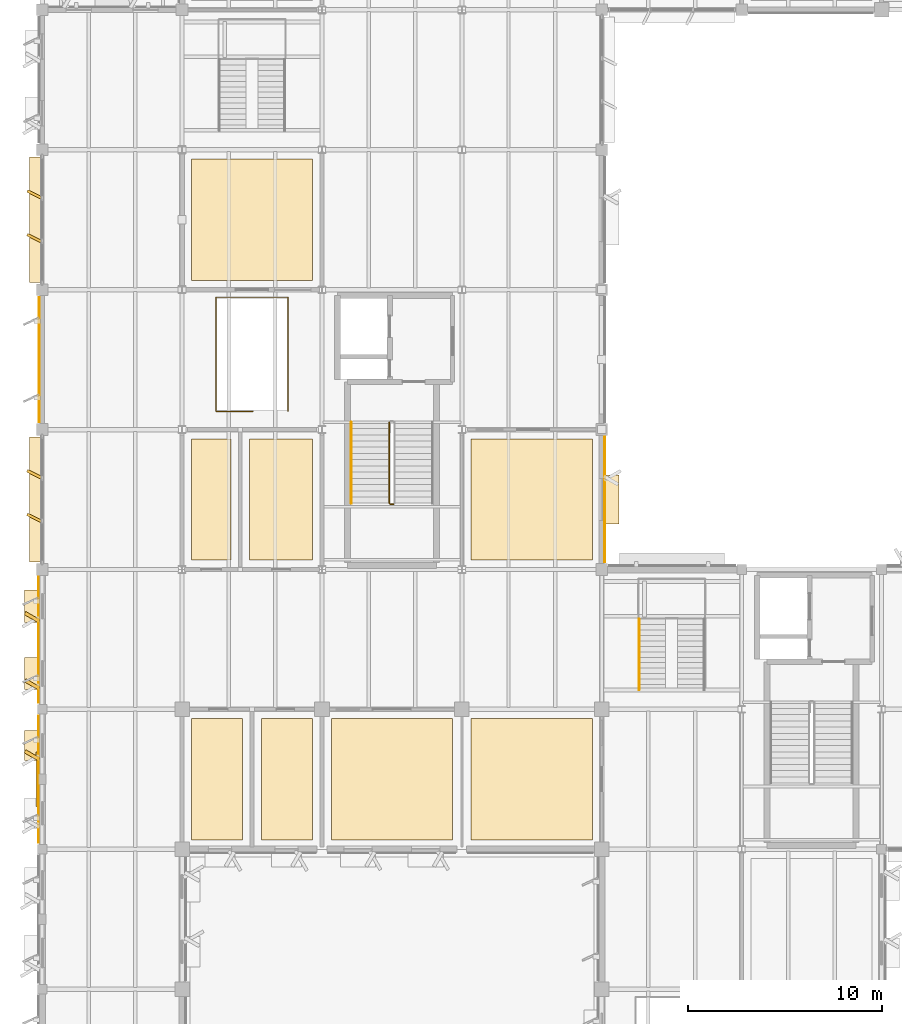
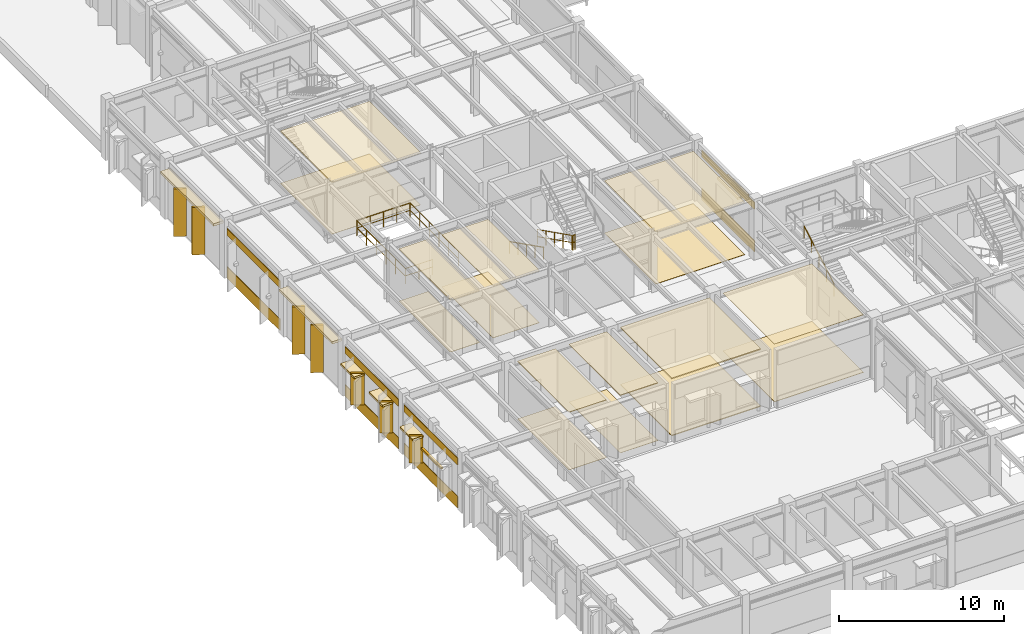
# One storey, part 78 of 92: 37 coverings, 5 railings, 1 shading device.
"""IFC4 building model written with IfcOpenShell, lengths in metres."""

from ifc_helpers import new_model, si_unit, direction, frame, frame_2d, origin, origin_2d, place, context, subcontext, project, spatial, polyline, rectangle, circle, outline, extrude, material, layer, layer_set, type_object, element, save


model = new_model("IFC4")

# Units and contexts
model_context = context("Model", 3, precision=1e-05, world=origin(), true_north=direction((0.0, 1.0)))
body_context = subcontext(model_context, "Body", "Model", "MODEL_VIEW")
ifc_project = project(units=[si_unit("LENGTHUNIT", "METRE"), si_unit("AREAUNIT", "SQUARE_METRE"), si_unit("VOLUMEUNIT", "CUBIC_METRE"), si_unit("PLANEANGLEUNIT", "RADIAN"), si_unit("MASSUNIT", "GRAM", prefix="KILO")], contexts=[model_context])

# Site, building, storey
site_placement = place(None, origin())
site = spatial("IfcSite", under=ifc_project, at=site_placement, CompositionType="ELEMENT")
building_placement = place(site_placement, origin())
building = spatial("IfcBuilding", under=site, at=building_placement, Name="Sillqori Civic Hall", CompositionType="ELEMENT")
storey_placement = place(building_placement, frame((0.0, 0.0, 5.39990234375)))
storey = spatial("IfcBuildingStorey", under=building, at=storey_placement, Name="L02", CompositionType="ELEMENT", Elevation=5.39990234375)

# Coverings
ifc_material_1 = material(Name="Perforated Acoustic Gypsum Board Ceiling", Category="gypsum")
ifc_layer_1 = layer(ifc_material_1, 0.030029296875)
ifc_layer_set_1 = layer_set([ifc_layer_1], Name="Perforated Acoustic Gypsum Board Ceiling")
covering_type_1 = type_object("IfcCoveringType", Name="COV-CEIL-GYP", PredefinedType="CEILING", material=ifc_layer_set_1)
covering_1_placement = place(storey_placement, frame((0.0, 0.0, 4.272216796875)))
element("IfcCovering", 1, at=covering_1_placement, inside=storey, type_object=covering_type_1, Name="Simultaneous Interpretation Booth Suite acoustic ceiling", PredefinedType="CEILING", context=body_context, shape_type="SweptSolid", body=[
    extrude(outline(polyline([(29.280029296875, 36.47998046875), (35.52001953125, 36.47998046875), (35.52001953125, 42.719970703125), (29.280029296875, 42.719970703125), (29.280029296875, 36.47998046875)])), origin(), (0.0, 0.0, 1.0), 0.02978515625),
])
ifc_material_2 = material(Name="Perforated Metal Coffer Panel 64", Category="aluminium")
ifc_layer_2 = layer(ifc_material_2, 0.06396484375)
ifc_layer_set_2 = layer_set([ifc_layer_2], Name="Perforated Metal Coffer Panel 64")
covering_type_2 = type_object("IfcCoveringType", Name="COV-CEIL-M64", PredefinedType="CEILING", material=ifc_layer_set_2)
covering_2_placement = place(storey_placement, frame((0.0, 0.0, 3.837158203125)))
element("IfcCovering", 2, at=covering_2_placement, inside=storey, type_object=covering_type_2, Name="L02 Staff Sanitary and Cleaners Room acoustic ceiling", PredefinedType="CEILING", context=body_context, shape_type="SweptSolid", body=[
    extrude(outline(polyline([(17.8798828125, 50.8798828125), (21.1201171875, 50.8798828125), (21.1201171875, 57.1201171875), (17.8798828125, 57.1201171875), (17.8798828125, 50.8798828125)])), origin(), (0.0, 0.0, 1.0), 0.06396484375),
])
ifc_material_3 = material(Name="Perforated Metal Coffer Panel 70", Category="aluminium")
ifc_layer_3 = layer(ifc_material_3, 0.070068359375)
ifc_layer_set_3 = layer_set([ifc_layer_3], Name="Perforated Metal Coffer Panel 70")
covering_type_3 = type_object("IfcCoveringType", Name="COV-CEIL-M70", PredefinedType="CEILING", material=ifc_layer_set_3)
covering_3_placement = place(storey_placement, frame((0.0, 0.0, 3.8310546875)))
element("IfcCovering", 3, at=covering_3_placement, inside=storey, type_object=covering_type_3, Name="Standing Committee Room Rocha acoustic ceiling", PredefinedType="CEILING", context=body_context, shape_type="SweptSolid", body=[
    extrude(outline(polyline([(14.8798828125, 65.280029296875), (21.1201171875, 65.280029296875), (21.1201171875, 71.52001953125), (14.8798828125, 71.52001953125), (14.8798828125, 65.280029296875)])), origin(), (0.0, 0.0, 1.0), 0.070068359375),
])
ifc_material_4 = material(Name="Chamber Acoustic Coffer Liner 84", Category="timber")
ifc_layer_4 = layer(ifc_material_4, 0.083984375)
ifc_layer_set_4 = layer_set([ifc_layer_4], Name="Chamber Acoustic Coffer Liner 84")
covering_type_4 = type_object("IfcCoveringType", Name="COV-CEIL-M84", PredefinedType="CEILING", material=ifc_layer_set_4)
covering_4_placement = place(storey_placement, frame((0.0, 0.0, 4.218017578125)))
element("IfcCovering", 4, at=covering_4_placement, inside=storey, type_object=covering_type_4, Name="Council Public Gallery Tier acoustic ceiling", PredefinedType="CEILING", context=body_context, shape_type="SweptSolid", body=[
    extrude(outline(polyline([(22.080078125, 36.47998046875), (28.320068359375, 36.47998046875), (28.320068359375, 42.719970703125), (22.080078125, 42.719970703125), (22.080078125, 36.47998046875)])), origin(), (0.0, 0.0, 1.0), 0.083984375),
])
ifc_material_5 = material(Name="Andean Cedar Slatted Baffle 46", Category="timber")
ifc_layer_5 = layer(ifc_material_5, 0.0458984375)
ifc_layer_set_5 = layer_set([ifc_layer_5], Name="Andean Cedar Slatted Baffle 46")
covering_type_5 = type_object("IfcCoveringType", Name="COV-CEIL-T46", PredefinedType="CEILING", material=ifc_layer_set_5)
covering_5_placement = place(storey_placement, frame((0.0, 0.0, 4.256103515625)))
element("IfcCovering", 5, at=covering_5_placement, inside=storey, type_object=covering_type_5, Name="L02 Public Male WC acoustic ceiling", PredefinedType="CEILING", context=body_context, shape_type="SweptSolid", body=[
    extrude(outline(polyline([(14.8798828125, 36.47998046875), (17.52001953125, 36.47998046875), (17.52001953125, 42.719970703125), (14.8798828125, 42.719970703125), (14.8798828125, 36.47998046875)])), origin(), (0.0, 0.0, 1.0), 0.0458984375),
])
ifc_material_6 = material(Name="Andean Cedar Slatted Baffle 52", Category="timber")
ifc_layer_6 = layer(ifc_material_6, 0.052001953125)
ifc_layer_set_6 = layer_set([ifc_layer_6], Name="Andean Cedar Slatted Baffle 52")
covering_type_6 = type_object("IfcCoveringType", Name="COV-CEIL-T52", PredefinedType="CEILING", material=ifc_layer_set_6)
covering_6_placement = place(storey_placement, frame((0.0, 0.0, 4.25)))
element("IfcCovering", 6, at=covering_6_placement, inside=storey, type_object=covering_type_6, Name="L02 Public Female WC acoustic ceiling", PredefinedType="CEILING", context=body_context, shape_type="SweptSolid", body=[
    extrude(outline(polyline([(18.47998046875, 36.47998046875), (21.1201171875, 36.47998046875), (21.1201171875, 42.719970703125), (18.47998046875, 42.719970703125), (18.47998046875, 36.47998046875)])), origin(), (0.0, 0.0, 1.0), 0.052001953125),
])
ifc_material_7 = material(Name="Andean Cedar Deep Baffle 58", Category="timber")
ifc_layer_7 = layer(ifc_material_7, 0.05810546875)
ifc_layer_set_7 = layer_set([ifc_layer_7], Name="Andean Cedar Deep Baffle 58")
covering_type_7 = type_object("IfcCoveringType", Name="COV-CEIL-T58", PredefinedType="CEILING", material=ifc_layer_set_7)
covering_7_placement = place(storey_placement, frame((0.0, 0.0, 3.843017578125)))
element("IfcCovering", 7, at=covering_7_placement, inside=storey, type_object=covering_type_7, Name="L02 Accessible WC acoustic ceiling", PredefinedType="CEILING", context=body_context, shape_type="SweptSolid", body=[
    extrude(outline(polyline([(14.8798828125, 50.8798828125), (16.919921875, 50.8798828125), (16.919921875, 57.1201171875), (14.8798828125, 57.1201171875), (14.8798828125, 50.8798828125)])), origin(), (0.0, 0.0, 1.0), 0.05810546875),
])
ifc_material_8 = material(Name="Slatted Andean Cedar Acoustic Baffle", Category="timber")
ifc_layer_8 = layer(ifc_material_8, 0.0419921875)
ifc_layer_set_8 = layer_set([ifc_layer_8], Name="Slatted Andean Cedar Acoustic Baffle")
covering_type_8 = type_object("IfcCoveringType", Name="COV-CEIL-TIM", PredefinedType="CEILING", material=ifc_layer_set_8)
covering_8_placement = place(storey_placement, frame((0.0, 0.0, 3.859130859375)))
element("IfcCovering", 8, at=covering_8_placement, inside=storey, type_object=covering_type_8, Name="Standing Committee Room Alalay acoustic ceiling", PredefinedType="CEILING", context=body_context, shape_type="SweptSolid", body=[
    extrude(outline(polyline([(29.280029296875, 50.8798828125), (35.52001953125, 50.8798828125), (35.52001953125, 57.1201171875), (29.280029296875, 57.1201171875), (29.280029296875, 50.8798828125)])), origin(), (0.0, 0.0, 1.0), 0.0419921875),
])
ifc_material_9 = material(Name="Cochabamba Honed Limestone Cladding", Category="masonry")
ifc_layer_9 = layer(ifc_material_9, 0.044921875)
ifc_layer_set_9 = layer_set([ifc_layer_9], Name="Cochabamba Honed Limestone Cladding")
covering_type_9 = type_object("IfcCoveringType", Name="COV-CLAD-LIME", PredefinedType="CLADDING", material=ifc_layer_set_9)
covering_9_placement = place(storey_placement, frame((7.010009765625, 36.330078125, 0.0400390625), z_axis=(0.0, 0.0, 1.0), x_axis=(0.0, 1.0, 0.0)))
element("IfcCovering", 9, at=covering_9_placement, inside=storey, type_object=covering_type_9, Name="L02 limestone spandrel cladding L02-01-05-W", PredefinedType="CLADDING", context=body_context, shape_type="SweptSolid", body=[
    extrude(rectangle(XDim=6.5400390625, YDim=0.044921875, at=frame_2d((3.27001953125, 0.0))), origin(), (0.0, 0.0, 1.0), 0.860107421875),
])
covering_10_placement = place(storey_placement, frame((7.010009765625, 36.330078125, 3.22021484375), z_axis=(0.0, 0.0, 1.0), x_axis=(0.0, 1.0, 0.0)))
element("IfcCovering", 10, at=covering_10_placement, inside=storey, type_object=covering_type_9, Name="L02 limestone frieze cladding L02-01-05-W", PredefinedType="CLADDING", context=body_context, shape_type="SweptSolid", body=[
    extrude(rectangle(XDim=6.5400390625, YDim=0.044921875, at=frame_2d((3.27001953125, 0.0))), origin(), (0.0, 0.0, 1.0), 0.5068359375),
])
covering_11_placement = place(storey_placement, frame((7.050048828125, 40.6220703125, 0.830078125), z_axis=(0.0, 0.0, 1.0), x_axis=(-0.865989465428, 0.500062241894, 0.0)))
element("IfcCovering", 11, at=covering_11_placement, inside=storey, type_object=covering_type_9, Name="Sawtooth limestone angled reveal cheek L02-01-05-W.2", PredefinedType="CLADDING", context=body_context, shape_type="SweptSolid", body=[
    extrude(rectangle(XDim=0.85009765625, YDim=0.179931640625, at=frame_2d((0.425048828125, 0.0))), origin(), (0.0, 0.0, 1.0), 2.0),
])
covering_12_placement = place(storey_placement, frame((6.669921875, 40.56201171875, 2.690185546875), z_axis=(0.0, 0.0, 1.0), x_axis=(0.0, 1.0, 0.0)))
element("IfcCovering", 12, at=covering_12_placement, inside=storey, type_object=covering_type_9, Name="Sawtooth limestone window hood L02-01-05-W.2", PredefinedType="CLADDING", context=body_context, shape_type="SweptSolid", body=[
    extrude(rectangle(XDim=1.56005859375, YDim=0.780029296875, at=frame_2d((0.780029296875, 0.0))), origin(), (0.0, 0.0, 1.0), 0.139892578125),
])
covering_13_placement = place(storey_placement, frame((7.010009765625, 43.530029296875, 0.0400390625), z_axis=(0.0, 0.0, 1.0), x_axis=(0.0, 1.0, 0.0)))
element("IfcCovering", 13, at=covering_13_placement, inside=storey, type_object=covering_type_9, Name="L02 limestone spandrel cladding L02-01-06-W", PredefinedType="CLADDING", context=body_context, shape_type="SweptSolid", body=[
    extrude(rectangle(XDim=6.489990234375, YDim=0.044921875, at=frame_2d((3.2451171875, 0.0))), origin(), (0.0, 0.0, 1.0), 0.860107421875),
])
covering_14_placement = place(storey_placement, frame((7.010009765625, 43.530029296875, 3.22021484375), z_axis=(0.0, 0.0, 1.0), x_axis=(0.0, 1.0, 0.0)))
element("IfcCovering", 14, at=covering_14_placement, inside=storey, type_object=covering_type_9, Name="L02 limestone frieze cladding L02-01-06-W", PredefinedType="CLADDING", context=body_context, shape_type="SweptSolid", body=[
    extrude(rectangle(XDim=6.489990234375, YDim=0.044921875, at=frame_2d((3.2451171875, 0.0))), origin(), (0.0, 0.0, 1.0), 0.5068359375),
])
covering_15_placement = place(storey_placement, frame((7.050048828125, 44.27587890625, 0.830078125), z_axis=(0.0, 0.0, 1.0), x_axis=(-0.865989465428, 0.500062241894, 0.0)))
element("IfcCovering", 15, at=covering_15_placement, inside=storey, type_object=covering_type_9, Name="Sawtooth limestone angled reveal cheek L02-01-06-W.1", PredefinedType="CLADDING", context=body_context, shape_type="SweptSolid", body=[
    extrude(rectangle(XDim=0.85009765625, YDim=0.179931640625, at=frame_2d((0.425048828125, 0.0))), origin(), (0.0, 0.0, 1.0), 2.300048828125),
])
covering_16_placement = place(storey_placement, frame((6.669921875, 44.216064453125, 2.989990234375), z_axis=(0.0, 0.0, 1.0), x_axis=(0.0, 1.0, 0.0)))
element("IfcCovering", 16, at=covering_16_placement, inside=storey, type_object=covering_type_9, Name="Sawtooth limestone window hood L02-01-06-W.1", PredefinedType="CLADDING", context=body_context, shape_type="SweptSolid", body=[
    extrude(rectangle(XDim=1.659912109375, YDim=0.780029296875, at=frame_2d((0.830078125, 0.0))), origin(), (0.0, 0.0, 1.0), 0.14013671875),
])
covering_17_placement = place(storey_placement, frame((7.050048828125, 47.73388671875, 0.830078125), z_axis=(0.0, 0.0, 1.0), x_axis=(-0.865989465428, 0.500062241894, 0.0)))
element("IfcCovering", 17, at=covering_17_placement, inside=storey, type_object=covering_type_9, Name="Sawtooth limestone angled reveal cheek L02-01-06-W.2", PredefinedType="CLADDING", context=body_context, shape_type="SweptSolid", body=[
    extrude(rectangle(XDim=0.85009765625, YDim=0.179931640625, at=frame_2d((0.425048828125, 0.0))), origin(), (0.0, 0.0, 1.0), 2.300048828125),
])
covering_18_placement = place(storey_placement, frame((6.669921875, 47.674072265625, 2.989990234375), z_axis=(0.0, 0.0, 1.0), x_axis=(0.0, 1.0, 0.0)))
element("IfcCovering", 18, at=covering_18_placement, inside=storey, type_object=covering_type_9, Name="Sawtooth limestone window hood L02-01-06-W.2", PredefinedType="CLADDING", context=body_context, shape_type="SweptSolid", body=[
    extrude(rectangle(XDim=1.659912109375, YDim=0.780029296875, at=frame_2d((0.830078125, 0.0))), origin(), (0.0, 0.0, 1.0), 0.14013671875),
])
covering_19_placement = place(storey_placement, frame((6.8798828125, 50.780029296875, 3.587158203125), z_axis=(0.0, 0.0, 1.0), x_axis=(0.0, 1.0, 0.0)))
element("IfcCovering", 19, at=covering_19_placement, inside=storey, type_object=covering_type_9, Name="L02 curtain-wall limestone solar hood L02-01-07-W", PredefinedType="CLADDING", context=body_context, shape_type="SweptSolid", body=[
    extrude(rectangle(XDim=6.43994140625, YDim=0.679931640625, at=frame_2d((3.219970703125, 0.0))), origin(), (0.0, 0.0, 1.0), 0.179931640625),
])
for number, where, z_axis, x_axis, name in (
    (20, (7.14990234375, 52.8779296875, 0.06005859375), (0.0, 0.0, 1.0), (-0.894366527193, 0.447334902547, 0.0), "L02 curtain-wall angled stone fin L02-01-07-W.1"),
    (21, (7.14990234375, 55.1220703125, 0.06005859375), (0.0, 0.0, 1.0), (-0.894487846579, 0.44709226377, 0.0), "L02 curtain-wall angled stone fin L02-01-07-W.2"),
):
    element("IfcCovering", number, at=place(storey_placement, frame(where, z_axis=z_axis, x_axis=x_axis)), inside=storey, type_object=covering_type_9, Name=name, PredefinedType="CLADDING", context=body_context, shape_type="SweptSolid", body=[
        extrude(rectangle(XDim=0.804931640625, YDim=0.139892578125, at=frame_2d((0.40234375, 0.0))), origin(), (0.0, 0.0, 1.0), 3.527099609375),
    ])
covering_20_placement = place(storey_placement, frame((7.050048828125, 57.97998046875, 0.0400390625), z_axis=(0.0, 0.0, 1.0), x_axis=(0.0, 1.0, 0.0)))
element("IfcCovering", 22, at=covering_20_placement, inside=storey, type_object=covering_type_9, Name="L02 limestone spandrel cladding L02-01-08-W", PredefinedType="CLADDING", context=body_context, shape_type="SweptSolid", body=[
    extrude(rectangle(XDim=6.43994140625, YDim=0.044921875, at=frame_2d((3.219970703125, 0.0))), origin(), (0.0, 0.0, 1.0), 0.860107421875),
])
covering_21_placement = place(storey_placement, frame((7.050048828125, 57.97998046875, 3.22021484375), z_axis=(0.0, 0.0, 1.0), x_axis=(0.0, 1.0, 0.0)))
element("IfcCovering", 23, at=covering_21_placement, inside=storey, type_object=covering_type_9, Name="L02 limestone frieze cladding L02-01-08-W", PredefinedType="CLADDING", context=body_context, shape_type="SweptSolid", body=[
    extrude(rectangle(XDim=6.43994140625, YDim=0.044921875, at=frame_2d((3.219970703125, 0.0))), origin(), (0.0, 0.0, 1.0), 0.5068359375),
])
covering_22_placement = place(storey_placement, frame((6.8798828125, 65.179931640625, 3.587158203125), z_axis=(0.0, 0.0, 1.0), x_axis=(0.0, 1.0, 0.0)))
element("IfcCovering", 24, at=covering_22_placement, inside=storey, type_object=covering_type_9, Name="L02 curtain-wall limestone solar hood L02-01-09-W", PredefinedType="CLADDING", context=body_context, shape_type="SweptSolid", body=[
    extrude(rectangle(XDim=6.440185546875, YDim=0.679931640625, at=frame_2d((3.22021484375, 0.0))), origin(), (0.0, 0.0, 1.0), 0.179931640625),
])
for number, where, z_axis, x_axis, name in (
    (25, (7.14990234375, 67.278076171875, 0.06005859375), (0.0, 0.0, 1.0), (-0.894487846579, 0.44709226377, 0.0), "L02 curtain-wall angled stone fin L02-01-09-W.1"),
    (26, (7.14990234375, 69.52197265625, 0.06005859375), (0.0, 0.0, 1.0), (-0.894366527193, 0.447334902547, 0.0), "L02 curtain-wall angled stone fin L02-01-09-W.2"),
):
    element("IfcCovering", number, at=place(storey_placement, frame(where, z_axis=z_axis, x_axis=x_axis)), inside=storey, type_object=covering_type_9, Name=name, PredefinedType="CLADDING", context=body_context, shape_type="SweptSolid", body=[
        extrude(rectangle(XDim=0.804931640625, YDim=0.139892578125, at=frame_2d((0.40234375, 0.0))), origin(), (0.0, 0.0, 1.0), 3.527099609375),
    ])
covering_23_placement = place(storey_placement, frame((36.14990234375, 57.219970703125, 0.0400390625), z_axis=(0.0, 0.0, 1.0), x_axis=(0.0, -1.0, 0.0)))
element("IfcCovering", 27, at=covering_23_placement, inside=storey, type_object=covering_type_9, Name="L02 limestone spandrel cladding L02-04-07-E", PredefinedType="CLADDING", context=body_context, shape_type="SweptSolid", body=[
    extrude(rectangle(XDim=6.43994140625, YDim=0.044921875, at=frame_2d((3.219970703125, 0.0))), origin(), (0.0, 0.0, 1.0), 0.860107421875),
])
covering_24_placement = place(storey_placement, frame((36.14990234375, 57.219970703125, 3.22021484375), z_axis=(0.0, 0.0, 1.0), x_axis=(0.0, -1.0, 0.0)))
element("IfcCovering", 28, at=covering_24_placement, inside=storey, type_object=covering_type_9, Name="L02 limestone frieze cladding L02-04-07-E", PredefinedType="CLADDING", context=body_context, shape_type="SweptSolid", body=[
    extrude(rectangle(XDim=6.43994140625, YDim=0.044921875, at=frame_2d((3.219970703125, 0.0))), origin(), (0.0, 0.0, 1.0), 0.5068359375),
])
covering_25_placement = place(storey_placement, frame((36.489990234375, 55.2548828125, 2.739990234375), z_axis=(0.0, 0.0, 1.0), x_axis=(0.0, -1.0, 0.0)))
element("IfcCovering", 29, at=covering_25_placement, inside=storey, type_object=covering_type_9, Name="Sawtooth limestone window hood L02-04-07-E.1", PredefinedType="CLADDING", context=body_context, shape_type="SweptSolid", body=[
    extrude(rectangle(XDim=2.509765625, YDim=0.780029296875, at=frame_2d((1.2548828125, 0.0))), origin(), (0.0, 0.0, 1.0), 0.14013671875),
])
ifc_material_10 = material(Name="Vitrified Porcelain Tile 18", Category="ceramic")
ifc_layer_10 = layer(ifc_material_10, 0.01806640625)
ifc_layer_set_10 = layer_set([ifc_layer_10], Name="Vitrified Porcelain Tile 18")
covering_type_10 = type_object("IfcCoveringType", Name="COV-FLR-P18", PredefinedType="FLOORING", material=ifc_layer_set_10)
covering_26_placement = place(storey_placement, origin())
element("IfcCovering", 30, at=covering_26_placement, inside=storey, type_object=covering_type_10, Name="Standing Committee Room Rocha floor finish", PredefinedType="FLOORING", context=body_context, shape_type="SweptSolid", body=[
    extrude(outline(polyline([(14.8798828125, 65.280029296875), (21.1201171875, 65.280029296875), (21.1201171875, 71.52001953125), (14.8798828125, 71.52001953125), (14.8798828125, 65.280029296875)])), origin(), (0.0, 0.0, 1.0), 0.01806640625),
])
ifc_material_11 = material(Name="Slip-Resistant R11 Porcelain Tile", Category="ceramic")
ifc_layer_11 = layer(ifc_material_11, 0.02001953125)
ifc_layer_set_11 = layer_set([ifc_layer_11], Name="Slip-Resistant R11 Porcelain Tile")
covering_type_11 = type_object("IfcCoveringType", Name="COV-FLR-POR", PredefinedType="FLOORING", material=ifc_layer_set_11)
covering_27_placement = place(storey_placement, origin())
element("IfcCovering", 31, at=covering_27_placement, inside=storey, type_object=covering_type_11, Name="L02 Public Male WC floor finish", PredefinedType="FLOORING", context=body_context, shape_type="SweptSolid", body=[
    extrude(outline(polyline([(14.8798828125, 36.47998046875), (17.52001953125, 36.47998046875), (17.52001953125, 42.719970703125), (14.8798828125, 42.719970703125), (14.8798828125, 36.47998046875)])), origin(), (0.0, 0.0, 1.0), 0.02001953125),
])
covering_28_placement = place(storey_placement, origin())
element("IfcCovering", 32, at=covering_28_placement, inside=storey, type_object=covering_type_11, Name="L02 Public Female WC floor finish", PredefinedType="FLOORING", context=body_context, shape_type="SweptSolid", body=[
    extrude(outline(polyline([(18.47998046875, 36.47998046875), (21.1201171875, 36.47998046875), (21.1201171875, 42.719970703125), (18.47998046875, 42.719970703125), (18.47998046875, 36.47998046875)])), origin(), (0.0, 0.0, 1.0), 0.02001953125),
])
covering_29_placement = place(storey_placement, origin())
element("IfcCovering", 33, at=covering_29_placement, inside=storey, type_object=covering_type_11, Name="L02 Accessible WC floor finish", PredefinedType="FLOORING", context=body_context, shape_type="SweptSolid", body=[
    extrude(outline(polyline([(14.8798828125, 50.8798828125), (16.919921875, 50.8798828125), (16.919921875, 57.1201171875), (14.8798828125, 57.1201171875), (14.8798828125, 50.8798828125)])), origin(), (0.0, 0.0, 1.0), 0.02001953125),
])
covering_30_placement = place(storey_placement, origin())
element("IfcCovering", 34, at=covering_30_placement, inside=storey, type_object=covering_type_11, Name="L02 Staff Sanitary and Cleaners Room floor finish", PredefinedType="FLOORING", context=body_context, shape_type="SweptSolid", body=[
    extrude(outline(polyline([(17.8798828125, 50.8798828125), (21.1201171875, 50.8798828125), (21.1201171875, 57.1201171875), (17.8798828125, 57.1201171875), (17.8798828125, 50.8798828125)])), origin(), (0.0, 0.0, 1.0), 0.02001953125),
])
ifc_material_12 = material(Name="Engineered Tajibo Hardwood Flooring", Category="wood")
ifc_layer_12 = layer(ifc_material_12, 0.02587890625)
ifc_layer_set_12 = layer_set([ifc_layer_12], Name="Engineered Tajibo Hardwood Flooring")
covering_type_12 = type_object("IfcCoveringType", Name="COV-FLR-PRQ", PredefinedType="FLOORING", material=ifc_layer_set_12)
covering_31_placement = place(storey_placement, origin())
element("IfcCovering", 35, at=covering_31_placement, inside=storey, type_object=covering_type_12, Name="Standing Committee Room Alalay floor finish", PredefinedType="FLOORING", context=body_context, shape_type="SweptSolid", body=[
    extrude(outline(polyline([(29.280029296875, 50.8798828125), (35.52001953125, 50.8798828125), (35.52001953125, 57.1201171875), (29.280029296875, 57.1201171875), (29.280029296875, 50.8798828125)])), origin(), (0.0, 0.0, 1.0), 0.026123046875),
])
ifc_material_13 = material(Name="Raised Access Technical Floor Panel 62", Category="stone")
ifc_layer_13 = layer(ifc_material_13, 0.06201171875)
ifc_layer_set_13 = layer_set([ifc_layer_13], Name="Raised Access Technical Floor Panel 62")
covering_type_13 = type_object("IfcCoveringType", Name="COV-FLR-S62", PredefinedType="FLOORING", material=ifc_layer_set_13)
covering_32_placement = place(storey_placement, origin())
element("IfcCovering", 36, at=covering_32_placement, inside=storey, type_object=covering_type_13, Name="Council Public Gallery Tier floor finish", PredefinedType="FLOORING", context=body_context, shape_type="SweptSolid", body=[
    extrude(outline(polyline([(22.080078125, 36.47998046875), (28.320068359375, 36.47998046875), (28.320068359375, 42.719970703125), (22.080078125, 42.719970703125), (22.080078125, 36.47998046875)])), origin(), (0.0, 0.0, 1.0), 0.06201171875),
])
ifc_material_14 = material(Name="Honed Cochabamba Limestone Terrazzo", Category="masonry")
ifc_layer_14 = layer(ifc_material_14, 0.031982421875)
ifc_layer_set_14 = layer_set([ifc_layer_14], Name="Honed Cochabamba Limestone Terrazzo")
covering_type_14 = type_object("IfcCoveringType", Name="COV-FLR-TRZ", PredefinedType="FLOORING", material=ifc_layer_set_14)
covering_33_placement = place(storey_placement, origin())
element("IfcCovering", 37, at=covering_33_placement, inside=storey, type_object=covering_type_14, Name="Simultaneous Interpretation Booth Suite floor finish", PredefinedType="FLOORING", context=body_context, shape_type="SweptSolid", body=[
    extrude(outline(polyline([(29.280029296875, 36.47998046875), (35.52001953125, 36.47998046875), (35.52001953125, 42.719970703125), (29.280029296875, 42.719970703125), (29.280029296875, 36.47998046875)])), origin(), (0.0, 0.0, 1.0), 0.031982421875),
])

# Railings
ifc_material_15 = material(Name="Architectural Bronze and Tempered Glass Balustrade", Category="glass")
ifc_layer_15 = layer(ifc_material_15, 0.080078125)
ifc_layer_set_15 = layer_set([ifc_layer_15], Name="Architectural Bronze and Tempered Glass Balustrade")
railing_type_1 = type_object("IfcRailingType", Name="RLG-BALU-115", PredefinedType="BALUSTRADE", material=ifc_layer_set_15)
railing_1_placement = place(storey_placement, frame((18.06005859375, 58.5400390625, 0.0)))
element("IfcRailing", 38, at=railing_1_placement, inside=storey, type_object=railing_type_1, Name="West Committee Concourse Stair L01-L02 upper atrium well balustrade", PredefinedType="BALUSTRADE", context=body_context, shape_type="SweptSolid", body=[
    extrude(circle(Radius=0.02392578125, at=origin_2d()), frame((0.0, 0.0, 1.1259765625), z_axis=(-1.0, 0.0, 0.0), x_axis=(0.0, -1.0, 0.0)), (0.0, 0.0, 1.0), 1.920166015625),
    extrude(circle(Radius=0.02392578125, at=origin_2d()), frame((0.0, 0.0, 0.574951171875), z_axis=(-1.0, 0.0, 0.0), x_axis=(0.0, -1.0, 0.0)), (0.0, 0.0, 1.0), 1.920166015625),
    extrude(circle(Radius=0.02392578125, at=origin_2d()), frame((-1.920166015625, 0.0, 1.1259765625), z_axis=(0.0, 1.0, 0.0), x_axis=(-1.0, 0.0, 0.0)), (0.0, 0.0, 1.0), 5.869873046875),
    extrude(circle(Radius=0.02392578125, at=origin_2d()), frame((-1.920166015625, 0.0, 0.574951171875), z_axis=(0.0, 1.0, 0.0), x_axis=(-1.0, 0.0, 0.0)), (0.0, 0.0, 1.0), 5.869873046875),
    extrude(circle(Radius=0.02392578125, at=origin_2d()), frame((-1.920166015625, 5.869873046875, 1.1259765625), z_axis=(1.0, 0.0, 0.0), x_axis=(0.0, 1.0, 0.0)), (0.0, 0.0, 1.0), 3.72021484375),
    extrude(circle(Radius=0.02392578125, at=origin_2d()), frame((-1.920166015625, 5.869873046875, 0.574951171875), z_axis=(1.0, 0.0, 0.0), x_axis=(0.0, 1.0, 0.0)), (0.0, 0.0, 1.0), 3.72021484375),
    extrude(circle(Radius=0.02392578125, at=origin_2d()), frame((1.800048828125, 5.869873046875, 1.1259765625), z_axis=(0.0, -1.0, 0.0), x_axis=(1.0, 0.0, 0.0)), (0.0, 0.0, 1.0), 5.869873046875),
    extrude(circle(Radius=0.02392578125, at=origin_2d()), frame((1.800048828125, 5.869873046875, 0.574951171875), z_axis=(0.0, -1.0, 0.0), x_axis=(1.0, 0.0, 0.0)), (0.0, 0.0, 1.0), 5.869873046875),
    extrude(circle(Radius=0.02099609375, at=origin_2d()), origin(), (0.0, 0.0, 1.0), 1.101806640625),
    extrude(circle(Radius=0.02099609375, at=origin_2d()), frame((-0.9599609375, 0.0, 0.0)), (0.0, 0.0, 1.0), 1.101806640625),
    extrude(circle(Radius=0.02099609375, at=origin_2d()), frame((-1.920166015625, 0.0, 0.0)), (0.0, 0.0, 1.0), 1.101806640625),
    extrude(circle(Radius=0.02099609375, at=origin_2d()), frame((-1.920166015625, 1.174072265625, 0.0)), (0.0, 0.0, 1.0), 1.101806640625),
    extrude(circle(Radius=0.02099609375, at=origin_2d()), frame((-1.920166015625, 2.347900390625, 0.0)), (0.0, 0.0, 1.0), 1.101806640625),
    extrude(circle(Radius=0.02099609375, at=origin_2d()), frame((-1.920166015625, 3.52197265625, 0.0)), (0.0, 0.0, 1.0), 1.101806640625),
    extrude(circle(Radius=0.02099609375, at=origin_2d()), frame((-1.920166015625, 4.69580078125, 0.0)), (0.0, 0.0, 1.0), 1.101806640625),
    extrude(circle(Radius=0.02099609375, at=origin_2d()), frame((-1.920166015625, 5.869873046875, 0.0)), (0.0, 0.0, 1.0), 1.101806640625),
    extrude(circle(Radius=0.02099609375, at=origin_2d()), frame((-0.990234375, 5.869873046875, 0.0)), (0.0, 0.0, 1.0), 1.101806640625),
    extrude(circle(Radius=0.02099609375, at=origin_2d()), frame((-0.06005859375, 5.869873046875, 0.0)), (0.0, 0.0, 1.0), 1.101806640625),
    extrude(circle(Radius=0.02099609375, at=origin_2d()), frame((0.8701171875, 5.869873046875, 0.0)), (0.0, 0.0, 1.0), 1.101806640625),
    extrude(circle(Radius=0.02099609375, at=origin_2d()), frame((1.800048828125, 5.869873046875, 0.0)), (0.0, 0.0, 1.0), 1.101806640625),
    extrude(circle(Radius=0.02099609375, at=origin_2d()), frame((1.800048828125, 4.69580078125, 0.0)), (0.0, 0.0, 1.0), 1.101806640625),
    extrude(circle(Radius=0.02099609375, at=origin_2d()), frame((1.800048828125, 3.52197265625, 0.0)), (0.0, 0.0, 1.0), 1.101806640625),
    extrude(circle(Radius=0.02099609375, at=origin_2d()), frame((1.800048828125, 2.347900390625, 0.0)), (0.0, 0.0, 1.0), 1.101806640625),
    extrude(circle(Radius=0.02099609375, at=origin_2d()), frame((1.800048828125, 1.174072265625, 0.0)), (0.0, 0.0, 1.0), 1.101806640625),
    extrude(circle(Radius=0.02099609375, at=origin_2d()), frame((1.800048828125, 0.0, 0.0)), (0.0, 0.0, 1.0), 1.101806640625),
])
ifc_material_16 = material(Name="Brushed Stainless Steel 316 Handrail", Category="steel")
ifc_layer_16 = layer(ifc_material_16, 0.044921875)
ifc_layer_set_16 = layer_set([ifc_layer_16], Name="Brushed Stainless Steel 316 Handrail")
railing_type_2 = type_object("IfcRailingType", Name="RLG-CORE-092", PredefinedType="HANDRAIL", material=ifc_layer_set_16)
railing_2_placement = place(storey_placement, frame((23.110107421875, 57.969970703125, 0.160888671875)))
element("IfcRailing", 39, at=railing_2_placement, inside=storey, type_object=railing_type_2, Name="L02 ST-04 stair handrail 1", PredefinedType="HANDRAIL", context=body_context, shape_type="SweptSolid", body=[
    extrude(circle(Radius=0.02392578125, at=origin_2d()), frame((0.0, 0.0, 0.8759765625), z_axis=(0.0, -0.893639106791, 0.448786304173), x_axis=(1.0, 0.0, 0.0)), (0.0, 0.0, 1.0), 4.655029296875),
    extrude(circle(Radius=0.02099609375, at=origin_2d()), origin(), (0.0, 0.0, 1.0), 0.851806640625),
    extrude(circle(Radius=0.02099609375, at=origin_2d()), frame((0.0, -1.0400390625, 0.522216796875)), (0.0, 0.0, 1.0), 0.851806640625),
    extrude(circle(Radius=0.02099609375, at=origin_2d()), frame((0.0, -2.080078125, 1.04443359375)), (0.0, 0.0, 1.0), 0.851806640625),
    extrude(circle(Radius=0.02099609375, at=origin_2d()), frame((0.0, -3.119873046875, 1.56689453125)), (0.0, 0.0, 1.0), 0.851806640625),
    extrude(circle(Radius=0.02099609375, at=origin_2d()), frame((0.0, -4.159912109375, 2.089111328125)), (0.0, 0.0, 1.0), 0.851806640625),
])
railing_3_placement = place(storey_placement, frame((37.919921875, 44.199951171875, 0.160888671875)))
element("IfcRailing", 40, at=railing_3_placement, inside=storey, type_object=railing_type_2, Name="Council Gallery Ceremonial Stair L02-L03 handrail W", PredefinedType="HANDRAIL", context=body_context, shape_type="SweptSolid", body=[
    extrude(circle(Radius=0.02392578125, at=origin_2d()), frame((0.0, 0.0, 0.89599609375), z_axis=(0.0, 0.867314486057, 0.497760567216), x_axis=(-1.0, 0.0, 0.0)), (0.0, 0.0, 1.0), 4.197021484375),
    extrude(circle(Radius=0.02099609375, at=origin_2d()), origin(), (0.0, 0.0, 1.0), 0.871826171875),
    extrude(circle(Radius=0.02099609375, at=origin_2d()), frame((0.0, 0.91015625, 0.522216796875)), (0.0, 0.0, 1.0), 0.871826171875),
    extrude(circle(Radius=0.02099609375, at=origin_2d()), frame((0.0, 1.820068359375, 1.04443359375)), (0.0, 0.0, 1.0), 0.871826171875),
    extrude(circle(Radius=0.02099609375, at=origin_2d()), frame((0.0, 2.72998046875, 1.56689453125)), (0.0, 0.0, 1.0), 0.871826171875),
    extrude(circle(Radius=0.02099609375, at=origin_2d()), frame((0.0, 3.64013671875, 2.089111328125)), (0.0, 0.0, 1.0), 0.871826171875),
])
ifc_material_17 = material(Name="Galvanized Painted Steel Guardrail", Category="steel")
ifc_layer_17 = layer(ifc_material_17, 0.050048828125)
ifc_layer_set_17 = layer_set([ifc_layer_17], Name="Galvanized Painted Steel Guardrail")
railing_type_3 = type_object("IfcRailingType", Name="RLG-CORE-110", PredefinedType="GUARDRAIL", material=ifc_layer_set_17)
railing_4_placement = place(storey_placement, frame((25.070068359375, 57.969970703125, 0.160888671875)))
element("IfcRailing", 41, at=railing_4_placement, inside=storey, type_object=railing_type_3, Name="L02 ST-04 stair guard 1", PredefinedType="GUARDRAIL", context=body_context, shape_type="SweptSolid", body=[
    extrude(circle(Radius=0.02392578125, at=origin_2d()), frame((0.0, 0.0, 1.076171875), z_axis=(0.0, -0.893639106791, 0.448786304173), x_axis=(1.0, 0.0, 0.0)), (0.0, 0.0, 1.0), 4.655029296875),
    extrude(circle(Radius=0.02392578125, at=origin_2d()), frame((0.0, 0.0, 0.550048828125), z_axis=(0.0, -0.893639106791, 0.448786304173), x_axis=(1.0, 0.0, 0.0)), (0.0, 0.0, 1.0), 4.655029296875),
    extrude(circle(Radius=0.02099609375, at=origin_2d()), origin(), (0.0, 0.0, 1.0), 1.052001953125),
    extrude(circle(Radius=0.02099609375, at=origin_2d()), frame((0.0, -1.0400390625, 0.522216796875)), (0.0, 0.0, 1.0), 1.052001953125),
    extrude(circle(Radius=0.02099609375, at=origin_2d()), frame((0.0, -2.080078125, 1.04443359375)), (0.0, 0.0, 1.0), 1.052001953125),
    extrude(circle(Radius=0.02099609375, at=origin_2d()), frame((0.0, -3.119873046875, 1.56689453125)), (0.0, 0.0, 1.0), 1.052001953125),
    extrude(circle(Radius=0.02099609375, at=origin_2d()), frame((0.0, -4.159912109375, 2.089111328125)), (0.0, 0.0, 1.0), 1.052001953125),
])
railing_5_placement = place(storey_placement, frame((25.1201171875, 53.760009765625, 2.25)))
element("IfcRailing", 42, at=railing_5_placement, inside=storey, type_object=railing_type_3, Name="L02 ST-04 stair guard 2", PredefinedType="GUARDRAIL", context=body_context, shape_type="SweptSolid", body=[
    extrude(circle(Radius=0.02392578125, at=origin_2d()), frame((0.0, 0.0, 1.076171875), z_axis=(1.0, 0.0, 0.0), x_axis=(0.0, 1.0, 0.0)), (0.0, 0.0, 1.0), 0.159912109375),
    extrude(circle(Radius=0.02392578125, at=origin_2d()), frame((0.0, 0.0, 0.550048828125), z_axis=(1.0, 0.0, 0.0), x_axis=(0.0, 1.0, 0.0)), (0.0, 0.0, 1.0), 0.159912109375),
    extrude(circle(Radius=0.02099609375, at=origin_2d()), origin(), (0.0, 0.0, 1.0), 1.052001953125),
    extrude(circle(Radius=0.02099609375, at=origin_2d()), frame((0.159912109375, 0.0, 0.0)), (0.0, 0.0, 1.0), 1.052001953125),
])

# Shading device
ifc_material_18 = material(Name="Anodized Aluminium Solar Control Louvre", Category="aluminium")
shading_device_type = type_object("IfcShadingDeviceType", Name="SHD-CLAU-280", PredefinedType="SHUTTER", material=ifc_material_18)
shading_device_placement = place(storey_placement, frame((6.969970703125, 39.60009765625, 1.8037109375), z_axis=(0.0, 0.0, 1.0), x_axis=(0.0, 1.0, 0.0)))
element("IfcShadingDevice", 43, at=shading_device_placement, inside=storey, type_object=shading_device_type, Name="L02 pierced claustra screen L02-01-05-W", PredefinedType="SHUTTER", context=body_context, shape_type="SweptSolid", body=[
    extrude(rectangle(XDim=2.800048828125, YDim=0.159912109375, at=origin_2d()), origin(), (0.0, 0.0, 1.0), 0.159912109375),
])

save(model, "model.ifc")
